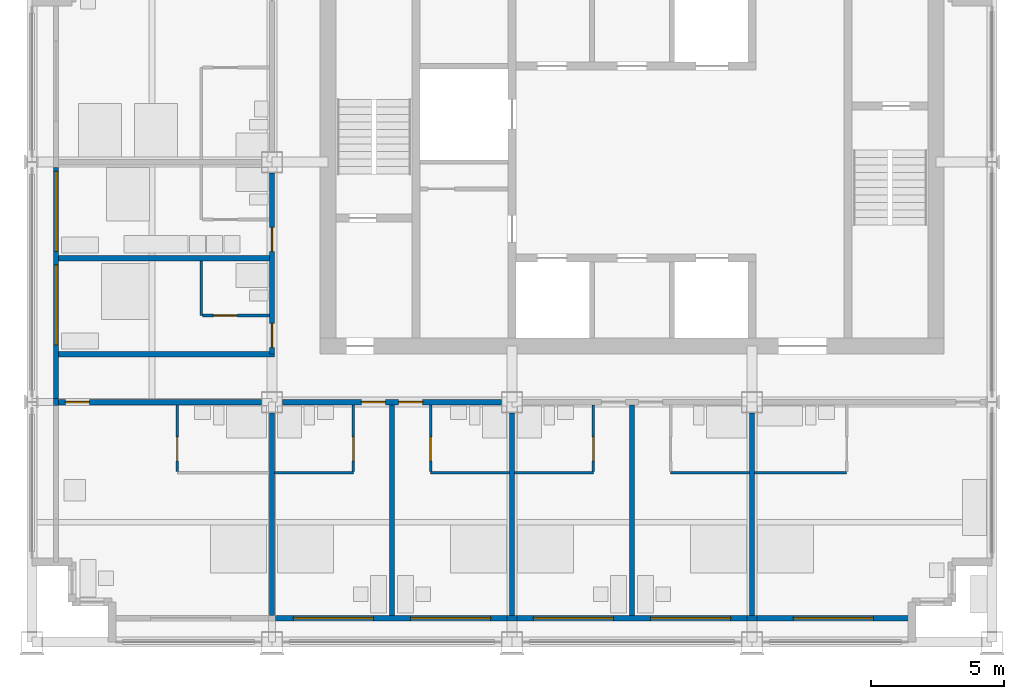
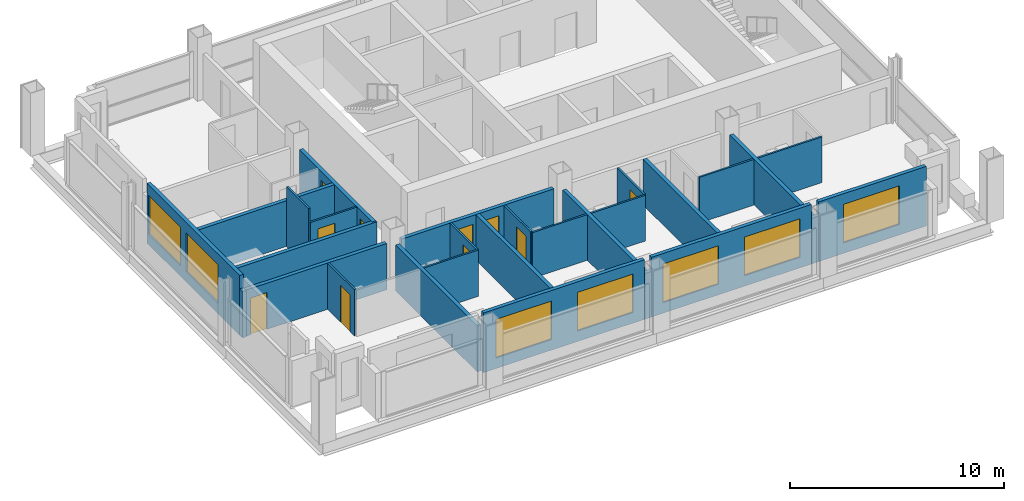
# One storey, part 6 of 12: 28 walls, 10 doors, 7 windows, 17 openings.
"""IFC4 building model written with IfcOpenShell, lengths in metres."""

from ifc_helpers import new_model, si_unit, direction, frame, frame_2d, origin, place, context, subcontext, project, spatial, rectangle, extrude, material, layer, layer_set, type_object, element, fill, save


model = new_model("IFC4")

# Units and contexts
model_context = context("Model", 3, precision=1e-05, world=origin(), true_north=direction((0.0, 1.0)))
body_context = subcontext(model_context, "Body", "Model", "MODEL_VIEW")
ifc_project = project(units=[si_unit("LENGTHUNIT", "METRE"), si_unit("AREAUNIT", "SQUARE_METRE"), si_unit("VOLUMEUNIT", "CUBIC_METRE"), si_unit("PLANEANGLEUNIT", "RADIAN"), si_unit("MASSUNIT", "GRAM", prefix="KILO")], contexts=[model_context])

# Site, building, storey
site_placement = place(None, origin())
site = spatial("IfcSite", under=ifc_project, at=site_placement, CompositionType="ELEMENT")
building_placement = place(site_placement, origin())
building = spatial("IfcBuilding", under=site, at=building_placement, Name="Loomwork Tower", CompositionType="ELEMENT")
storey_placement = place(building_placement, frame((0.0, 0.0, 259.0)))
storey = spatial("IfcBuildingStorey", under=building, at=storey_placement, Name="L71", CompositionType="ELEMENT", Elevation=259.0)

# Wall, opening, door
ifc_material_1 = material(Name="Gypsum board on steel studs, one-hour", Category="steel")
ifc_layer_1 = layer(ifc_material_1, 0.199951171875)
ifc_layer_set_1 = layer_set([ifc_layer_1], Name="Corridor wall 200")
wall_type_1 = type_object("IfcWallType", Name="Corridor wall 200", PredefinedType="PARTITIONING", material=ifc_layer_set_1)
wall_1_placement = place(storey_placement, frame((1.0, 9.0, 0.0), z_axis=(0.0, 0.0, 1.0), x_axis=(1.0, 0.0, 0.0)))
wall_1 = element("IfcWall", 1, at=wall_1_placement, inside=storey, type_object=wall_type_1, Name="South corridor wall 1", PredefinedType="PARTITIONING", context=body_context, shape_type="SweptSolid", body=[
    extrude(rectangle(XDim=7.60009765625, YDim=0.199951171875, at=frame_2d((3.800048828125, 0.0))), origin(), (0.0, 0.0, 1.0), 2.637939453125),
])
opening_1_placement = place(wall_1_placement, frame((0.25, 0.0, 0.0)))
opening_1 = element("IfcOpeningElement", 2, at=opening_1_placement, cuts=wall_1, Name="Opening D1", PredefinedType="OPENING", context=body_context, shape_type="SweptSolid", body=[
    extrude(rectangle(XDim=0.89990234375, YDim=2.10009765625, at=frame_2d((0.449951171875, 1.050048828125))), frame((0.0, 0.10986328125, 0.0), z_axis=(0.0, -1.0, 0.0), x_axis=(1.0, 0.0, 0.0)), (0.0, 0.0, 1.0), 0.219970703125),
])
ifc_material_2 = material(Name="Hollow metal door and frame")
door_type_1 = type_object("IfcDoorType", Name="Guest room entry door 900", OperationType="SINGLE_SWING_LEFT", PredefinedType="DOOR", material=ifc_material_2)
door_1_placement = place(opening_1_placement, frame((0.89990234375, 0.0, 0.0), z_axis=(0.0, 0.0, 1.0), x_axis=(-1.0, 0.0, 0.0)))
door_1 = element("IfcDoor", 3, at=door_1_placement, inside=storey, type_object=door_type_1, Name="Guest room entry door L71 1", OperationType="SINGLE_SWING_RIGHT", OverallHeight=2.10009765625, OverallWidth=0.89990234375, PredefinedType="DOOR", context=body_context, shape_type="SweptSolid", body=[
    extrude(rectangle(XDim=0.89990234375, YDim=2.10009765625, at=frame_2d((0.449951171875, 1.050048828125))), frame((0.0, 0.02490234375, 0.0), z_axis=(0.0, -1.0, 0.0), x_axis=(1.0, 0.0, 0.0)), (0.0, 0.0, 1.0), 0.050048828125),
])
fill(opening_1, door_1)

# Wall, openings, doors
wall_2_placement = place(storey_placement, frame((9.39990234375, 9.0, 0.0), z_axis=(0.0, 0.0, 1.0), x_axis=(1.0, 0.0, 0.0)))
wall_2 = element("IfcWall", 4, at=wall_2_placement, inside=storey, type_object=wall_type_1, Name="South corridor wall 2", PredefinedType="PARTITIONING", context=body_context, shape_type="SweptSolid", body=[
    extrude(rectangle(XDim=8.2001953125, YDim=0.199951171875, at=frame_2d((4.10009765625, 0.0))), origin(), (0.0, 0.0, 1.0), 2.60498046875),
])
opening_2_placement = place(wall_2_placement, frame((2.949951171875, 0.0, 0.0)))
opening_2 = element("IfcOpeningElement", 5, at=opening_2_placement, cuts=wall_2, Name="Opening D1", PredefinedType="OPENING", context=body_context, shape_type="SweptSolid", body=[
    extrude(rectangle(XDim=0.89990234375, YDim=2.10009765625, at=frame_2d((0.449951171875, 1.050048828125))), frame((0.0, 0.10986328125, 0.0), z_axis=(0.0, -1.0, 0.0), x_axis=(1.0, 0.0, 0.0)), (0.0, 0.0, 1.0), 0.219970703125),
])
opening_3_placement = place(wall_2_placement, frame((4.35009765625, 0.0, 0.0)))
opening_3 = element("IfcOpeningElement", 6, at=opening_3_placement, cuts=wall_2, Name="Opening D1", PredefinedType="OPENING", context=body_context, shape_type="SweptSolid", body=[
    extrude(rectangle(XDim=0.89990234375, YDim=2.10009765625, at=frame_2d((0.449951171875, 1.050048828125))), frame((0.0, 0.10986328125, 0.0), z_axis=(0.0, -1.0, 0.0), x_axis=(1.0, 0.0, 0.0)), (0.0, 0.0, 1.0), 0.219970703125),
])
door_2_placement = place(opening_2_placement, frame((0.89990234375, 0.0, 0.0), z_axis=(0.0, 0.0, 1.0), x_axis=(-1.0, 0.0, 0.0)))
door_2 = element("IfcDoor", 7, at=door_2_placement, inside=storey, type_object=door_type_1, Name="Guest room entry door L71 2", OperationType="SINGLE_SWING_LEFT", OverallHeight=2.10009765625, OverallWidth=0.89990234375, PredefinedType="DOOR", context=body_context, shape_type="SweptSolid", body=[
    extrude(rectangle(XDim=0.89990234375, YDim=2.10009765625, at=frame_2d((0.449951171875, 1.050048828125))), frame((0.0, 0.02490234375, 0.0), z_axis=(0.0, -1.0, 0.0), x_axis=(1.0, 0.0, 0.0)), (0.0, 0.0, 1.0), 0.050048828125),
])
fill(opening_2, door_2)
door_3_placement = place(opening_3_placement, frame((0.89990234375, 0.0, 0.0), z_axis=(0.0, 0.0, 1.0), x_axis=(-1.0, 0.0, 0.0)))
door_3 = element("IfcDoor", 8, at=door_3_placement, inside=storey, type_object=door_type_1, Name="Guest room entry door L71 3", OperationType="SINGLE_SWING_RIGHT", OverallHeight=2.10009765625, OverallWidth=0.89990234375, PredefinedType="DOOR", context=body_context, shape_type="SweptSolid", body=[
    extrude(rectangle(XDim=0.89990234375, YDim=2.10009765625, at=frame_2d((0.449951171875, 1.050048828125))), frame((0.0, 0.02490234375, 0.0), z_axis=(0.0, -1.0, 0.0), x_axis=(1.0, 0.0, 0.0)), (0.0, 0.0, 1.0), 0.050048828125),
])
fill(opening_3, door_3)

wall_3_placement = place(storey_placement, frame((9.0, 10.800048828125, 0.0), z_axis=(0.0, 0.0, 1.0), x_axis=(0.0, 1.0, 0.0)))
wall_3 = element("IfcWall", 9, at=wall_3_placement, inside=storey, type_object=wall_type_1, Name="West corridor wall 1", PredefinedType="PARTITIONING", context=body_context, shape_type="SweptSolid", body=[
    extrude(rectangle(XDim=6.800048828125, YDim=0.199951171875, at=frame_2d((3.39990234375, 0.0))), origin(), (0.0, 0.0, 1.0), 2.60498046875),
])
opening_4_placement = place(wall_3_placement, frame((0.25, 0.0, 0.0)))
opening_4 = element("IfcOpeningElement", 10, at=opening_4_placement, cuts=wall_3, Name="Opening D1", PredefinedType="OPENING", context=body_context, shape_type="SweptSolid", body=[
    extrude(rectangle(XDim=0.89990234375, YDim=2.10009765625, at=frame_2d((0.449951171875, 1.050048828125))), frame((0.0, 0.10986328125, 0.0), z_axis=(0.0, -1.0, 0.0), x_axis=(1.0, 0.0, 0.0)), (0.0, 0.0, 1.0), 0.219970703125),
])
opening_5_placement = place(wall_3_placement, frame((3.85009765625, 0.0, 0.0)))
opening_5 = element("IfcOpeningElement", 11, at=opening_5_placement, cuts=wall_3, Name="Opening D1", PredefinedType="OPENING", context=body_context, shape_type="SweptSolid", body=[
    extrude(rectangle(XDim=0.89990234375, YDim=2.10009765625, at=frame_2d((0.449951171875, 1.050048828125))), frame((0.0, 0.10986328125, 0.0), z_axis=(0.0, -1.0, 0.0), x_axis=(1.0, 0.0, 0.0)), (0.0, 0.0, 1.0), 0.219970703125),
])
door_4_placement = place(opening_4_placement, origin())
door_4 = element("IfcDoor", 12, at=door_4_placement, inside=storey, type_object=door_type_1, Name="Guest room entry door L71 7", OperationType="SINGLE_SWING_LEFT", OverallHeight=2.10009765625, OverallWidth=0.89990234375, PredefinedType="DOOR", context=body_context, shape_type="SweptSolid", body=[
    extrude(rectangle(XDim=0.89990234375, YDim=2.10009765625, at=frame_2d((0.449951171875, 1.050048828125))), frame((0.0, 0.02490234375, 0.0), z_axis=(0.0, -1.0, 0.0), x_axis=(1.0, 0.0, 0.0)), (0.0, 0.0, 1.0), 0.050048828125),
])
fill(opening_4, door_4)
door_5_placement = place(opening_5_placement, origin())
door_5 = element("IfcDoor", 13, at=door_5_placement, inside=storey, type_object=door_type_1, Name="Guest room entry door L71 8", OperationType="SINGLE_SWING_LEFT", OverallHeight=2.10009765625, OverallWidth=0.89990234375, PredefinedType="DOOR", context=body_context, shape_type="SweptSolid", body=[
    extrude(rectangle(XDim=0.89990234375, YDim=2.10009765625, at=frame_2d((0.449951171875, 1.050048828125))), frame((0.0, 0.02490234375, 0.0), z_axis=(0.0, -1.0, 0.0), x_axis=(1.0, 0.0, 0.0)), (0.0, 0.0, 1.0), 0.050048828125),
])
fill(opening_5, door_5)

# Wall
wall_4_placement = place(storey_placement, frame((1.0, 10.800048828125, 0.0), z_axis=(0.0, 0.0, 1.0), x_axis=(1.0, 0.0, 0.0)))
element("IfcWall", 14, at=wall_4_placement, inside=storey, type_object=wall_type_1, Name="West band end wall S", PredefinedType="PARTITIONING", context=body_context, shape_type="SweptSolid", body=[
    extrude(rectangle(XDim=8.10009765625, YDim=0.199951171875, at=frame_2d((4.050048828125, 0.0))), origin(), (0.0, 0.0, 1.0), 2.60400390625),
])

# Wall, opening, door
ifc_material_3 = material(Name="Cement board on steel studs", Category="steel")
ifc_layer_2 = layer(ifc_material_3, 0.10009765625)
ifc_layer_set_2 = layer_set([ifc_layer_2], Name="En-suite partition 100")
wall_type_2 = type_object("IfcWallType", Name="En-suite partition 100", PredefinedType="PARTITIONING", material=ifc_layer_set_2)
wall_5_placement = place(storey_placement, frame((5.449951171875, 8.89990234375, 0.0), z_axis=(0.0, 0.0, 1.0), x_axis=(0.0, -1.0, 0.0)))
wall_5 = element("IfcWall", 15, at=wall_5_placement, inside=storey, type_object=wall_type_2, Name="En-suite side wall L71 room 1", PredefinedType="PARTITIONING", context=body_context, shape_type="SweptSolid", body=[
    extrude(rectangle(XDim=2.5, YDim=0.10009765625, at=frame_2d((1.25, 0.0))), origin(), (0.0, 0.0, 1.0), 2.637939453125),
])
opening_6_placement = place(wall_5_placement, frame((1.199951171875, 0.0, 0.0)))
opening_6 = element("IfcOpeningElement", 16, at=opening_6_placement, cuts=wall_5, Name="Opening D3", PredefinedType="OPENING", context=body_context, shape_type="SweptSolid", body=[
    extrude(rectangle(XDim=0.89990234375, YDim=2.10009765625, at=frame_2d((0.449951171875, 1.050048828125))), frame((0.0, 0.06005859375, 0.0), z_axis=(0.0, -1.0, 0.0), x_axis=(1.0, 0.0, 0.0)), (0.0, 0.0, 1.0), 0.1201171875),
])
ifc_material_4 = material(Name="Hollow metal door and frame")
door_type_2 = type_object("IfcDoorType", Name="Accessible en-suite door 900", OperationType="SLIDING_TO_LEFT", PredefinedType="DOOR", material=ifc_material_4)
door_6_placement = place(opening_6_placement, origin())
door_6 = element("IfcDoor", 17, at=door_6_placement, inside=storey, type_object=door_type_2, Name="Accessible en-suite door room 1", OperationType="SLIDING_TO_LEFT", OverallHeight=2.10009765625, OverallWidth=0.89990234375, PredefinedType="DOOR", context=body_context, shape_type="SweptSolid", body=[
    extrude(rectangle(XDim=0.89990234375, YDim=2.10009765625, at=frame_2d((0.449951171875, 1.050048828125))), frame((0.0, 0.02490234375, 0.0), z_axis=(0.0, -1.0, 0.0), x_axis=(1.0, 0.0, 0.0)), (0.0, 0.0, 1.0), 0.050048828125),
])
fill(opening_6, door_6)

# Wall
wall_6_placement = place(storey_placement, frame((9.10009765625, 6.35009765625, 0.0), z_axis=(0.0, 0.0, 1.0), x_axis=(1.0, 0.0, 0.0)))
element("IfcWall", 18, at=wall_6_placement, inside=storey, type_object=wall_type_2, Name="En-suite wall L71 room 2", PredefinedType="PARTITIONING", context=body_context, shape_type="SweptSolid", body=[
    extrude(rectangle(XDim=2.949951171875, YDim=0.10009765625, at=frame_2d((1.47509765625, 0.0))), origin(), (0.0, 0.0, 1.0), 2.637939453125),
])

# Wall, opening, door
wall_7_placement = place(storey_placement, frame((12.050048828125, 8.89990234375, 0.0), z_axis=(0.0, 0.0, 1.0), x_axis=(0.0, -1.0, 0.0)))
wall_7 = element("IfcWall", 19, at=wall_7_placement, inside=storey, type_object=wall_type_2, Name="En-suite side wall L71 room 2", PredefinedType="PARTITIONING", context=body_context, shape_type="SweptSolid", body=[
    extrude(rectangle(XDim=2.5, YDim=0.10009765625, at=frame_2d((1.25, 0.0))), origin(), (0.0, 0.0, 1.0), 2.60400390625),
])
opening_7_placement = place(wall_7_placement, frame((1.199951171875, 0.0, 0.0)))
opening_7 = element("IfcOpeningElement", 20, at=opening_7_placement, cuts=wall_7, Name="Opening D2", PredefinedType="OPENING", context=body_context, shape_type="SweptSolid", body=[
    extrude(rectangle(XDim=0.89990234375, YDim=2.10009765625, at=frame_2d((0.449951171875, 1.050048828125))), frame((0.0, 0.06005859375, 0.0), z_axis=(0.0, -1.0, 0.0), x_axis=(1.0, 0.0, 0.0)), (0.0, 0.0, 1.0), 0.1201171875),
])
ifc_material_5 = material(Name="Hollow metal door and frame")
door_type_3 = type_object("IfcDoorType", Name="En-suite door 900", OperationType="SINGLE_SWING_LEFT", PredefinedType="DOOR", material=ifc_material_5)
door_7_placement = place(opening_7_placement, frame((0.89990234375, 0.0, 0.0), z_axis=(0.0, 0.0, 1.0), x_axis=(-1.0, 0.0, 0.0)))
door_7 = element("IfcDoor", 21, at=door_7_placement, inside=storey, type_object=door_type_3, Name="En-suite door room 2", OperationType="SINGLE_SWING_LEFT", OverallHeight=2.10009765625, OverallWidth=0.89990234375, PredefinedType="DOOR", context=body_context, shape_type="SweptSolid", body=[
    extrude(rectangle(XDim=0.89990234375, YDim=2.10009765625, at=frame_2d((0.449951171875, 1.050048828125))), frame((0.0, 0.02490234375, 0.0), z_axis=(0.0, -1.0, 0.0), x_axis=(1.0, 0.0, 0.0)), (0.0, 0.0, 1.0), 0.050048828125),
])
fill(opening_7, door_7)

# Wall
wall_8_placement = place(storey_placement, frame((14.949951171875, 6.35009765625, 0.0), z_axis=(0.0, 0.0, 1.0), x_axis=(1.0, 0.0, 0.0)))
element("IfcWall", 22, at=wall_8_placement, inside=storey, type_object=wall_type_2, Name="En-suite wall L71 room 3", PredefinedType="PARTITIONING", context=body_context, shape_type="SweptSolid", body=[
    extrude(rectangle(XDim=2.949951171875, YDim=0.10009765625, at=frame_2d((1.47509765625, 0.0))), origin(), (0.0, 0.0, 1.0), 2.60400390625),
])

# Wall, opening, door
wall_9_placement = place(storey_placement, frame((14.949951171875, 8.89990234375, 0.0), z_axis=(0.0, 0.0, 1.0), x_axis=(0.0, -1.0, 0.0)))
wall_9 = element("IfcWall", 23, at=wall_9_placement, inside=storey, type_object=wall_type_2, Name="En-suite side wall L71 room 3", PredefinedType="PARTITIONING", context=body_context, shape_type="SweptSolid", body=[
    extrude(rectangle(XDim=2.5, YDim=0.10009765625, at=frame_2d((1.25, 0.0))), origin(), (0.0, 0.0, 1.0), 2.60400390625),
])
opening_8_placement = place(wall_9_placement, frame((1.199951171875, 0.0, 0.0)))
opening_8 = element("IfcOpeningElement", 24, at=opening_8_placement, cuts=wall_9, Name="Opening D2", PredefinedType="OPENING", context=body_context, shape_type="SweptSolid", body=[
    extrude(rectangle(XDim=0.89990234375, YDim=2.10009765625, at=frame_2d((0.449951171875, 1.050048828125))), frame((0.0, 0.06005859375, 0.0), z_axis=(0.0, -1.0, 0.0), x_axis=(1.0, 0.0, 0.0)), (0.0, 0.0, 1.0), 0.1201171875),
])
door_8_placement = place(opening_8_placement, origin())
door_8 = element("IfcDoor", 25, at=door_8_placement, inside=storey, type_object=door_type_3, Name="En-suite door room 3", OperationType="SINGLE_SWING_RIGHT", OverallHeight=2.10009765625, OverallWidth=0.89990234375, PredefinedType="DOOR", context=body_context, shape_type="SweptSolid", body=[
    extrude(rectangle(XDim=0.89990234375, YDim=2.10009765625, at=frame_2d((0.449951171875, 1.050048828125))), frame((0.0, 0.02490234375, 0.0), z_axis=(0.0, -1.0, 0.0), x_axis=(1.0, 0.0, 0.0)), (0.0, 0.0, 1.0), 0.050048828125),
])
fill(opening_8, door_8)

# Wall
wall_10_placement = place(storey_placement, frame((18.10009765625, 6.35009765625, 0.0), z_axis=(0.0, 0.0, 1.0), x_axis=(1.0, 0.0, 0.0)))
element("IfcWall", 26, at=wall_10_placement, inside=storey, type_object=wall_type_2, Name="En-suite wall L71 room 4", PredefinedType="PARTITIONING", context=body_context, shape_type="SweptSolid", body=[
    extrude(rectangle(XDim=2.949951171875, YDim=0.10009765625, at=frame_2d((1.47509765625, 0.0))), origin(), (0.0, 0.0, 1.0), 2.60400390625),
])

# Wall, opening, door
wall_11_placement = place(storey_placement, frame((21.050048828125, 8.89990234375, 0.0), z_axis=(0.0, 0.0, 1.0), x_axis=(0.0, -1.0, 0.0)))
wall_11 = element("IfcWall", 27, at=wall_11_placement, inside=storey, type_object=wall_type_2, Name="En-suite side wall L71 room 4", PredefinedType="PARTITIONING", context=body_context, shape_type="SweptSolid", body=[
    extrude(rectangle(XDim=2.5, YDim=0.10009765625, at=frame_2d((1.25, 0.0))), origin(), (0.0, 0.0, 1.0), 2.60400390625),
])
opening_9_placement = place(wall_11_placement, frame((1.199951171875, 0.0, 0.0)))
opening_9 = element("IfcOpeningElement", 28, at=opening_9_placement, cuts=wall_11, Name="Opening D2", PredefinedType="OPENING", context=body_context, shape_type="SweptSolid", body=[
    extrude(rectangle(XDim=0.89990234375, YDim=2.10009765625, at=frame_2d((0.449951171875, 1.050048828125))), frame((0.0, 0.06005859375, 0.0), z_axis=(0.0, -1.0, 0.0), x_axis=(1.0, 0.0, 0.0)), (0.0, 0.0, 1.0), 0.1201171875),
])
door_9_placement = place(opening_9_placement, frame((0.89990234375, 0.0, 0.0), z_axis=(0.0, 0.0, 1.0), x_axis=(-1.0, 0.0, 0.0)))
door_9 = element("IfcDoor", 29, at=door_9_placement, inside=storey, type_object=door_type_3, Name="En-suite door room 4", OperationType="SINGLE_SWING_LEFT", OverallHeight=2.10009765625, OverallWidth=0.89990234375, PredefinedType="DOOR", context=body_context, shape_type="SweptSolid", body=[
    extrude(rectangle(XDim=0.89990234375, YDim=2.10009765625, at=frame_2d((0.449951171875, 1.050048828125))), frame((0.0, 0.02490234375, 0.0), z_axis=(0.0, -1.0, 0.0), x_axis=(1.0, 0.0, 0.0)), (0.0, 0.0, 1.0), 0.050048828125),
])
fill(opening_9, door_9)

# Walls
wall_12_placement = place(storey_placement, frame((23.949951171875, 6.35009765625, 0.0), z_axis=(0.0, 0.0, 1.0), x_axis=(1.0, 0.0, 0.0)))
element("IfcWall", 30, at=wall_12_placement, inside=storey, type_object=wall_type_2, Name="En-suite wall L71 room 5", PredefinedType="PARTITIONING", context=body_context, shape_type="SweptSolid", body=[
    extrude(rectangle(XDim=2.949951171875, YDim=0.10009765625, at=frame_2d((1.47509765625, 0.0))), origin(), (0.0, 0.0, 1.0), 2.60400390625),
])
wall_13_placement = place(storey_placement, frame((27.10009765625, 6.35009765625, 0.0), z_axis=(0.0, 0.0, 1.0), x_axis=(1.0, 0.0, 0.0)))
element("IfcWall", 31, at=wall_13_placement, inside=storey, type_object=wall_type_2, Name="En-suite wall L71 room 6", PredefinedType="PARTITIONING", context=body_context, shape_type="SweptSolid", body=[
    extrude(rectangle(XDim=3.449951171875, YDim=0.10009765625, at=frame_2d((1.72509765625, 0.0))), origin(), (0.0, 0.0, 1.0), 2.60400390625),
])
wall_14_placement = place(storey_placement, frame((6.35009765625, 12.25, 0.0), z_axis=(0.0, 0.0, 1.0), x_axis=(0.0, 1.0, 0.0)))
element("IfcWall", 32, at=wall_14_placement, inside=storey, type_object=wall_type_2, Name="En-suite wall L71 room 7", PredefinedType="PARTITIONING", context=body_context, shape_type="SweptSolid", body=[
    extrude(rectangle(XDim=2.050048828125, YDim=0.10009765625, at=frame_2d((1.02490234375, 0.0))), origin(), (0.0, 0.0, 1.0), 3.39990234375),
])

# Wall, opening, door
wall_15_placement = place(storey_placement, frame((8.89990234375, 12.25, 0.0), z_axis=(0.0, 0.0, 1.0), x_axis=(-1.0, 0.0, 0.0)))
wall_15 = element("IfcWall", 33, at=wall_15_placement, inside=storey, type_object=wall_type_2, Name="En-suite side wall L71 room 7", PredefinedType="PARTITIONING", context=body_context, shape_type="SweptSolid", body=[
    extrude(rectangle(XDim=2.5, YDim=0.10009765625, at=frame_2d((1.25, 0.0))), origin(), (0.0, 0.0, 1.0), 2.60400390625),
])
opening_10_placement = place(wall_15_placement, frame((1.199951171875, 0.0, 0.0)))
opening_10 = element("IfcOpeningElement", 34, at=opening_10_placement, cuts=wall_15, Name="Opening D2", PredefinedType="OPENING", context=body_context, shape_type="SweptSolid", body=[
    extrude(rectangle(XDim=0.89990234375, YDim=2.10009765625, at=frame_2d((0.449951171875, 1.050048828125))), frame((0.0, 0.06005859375, 0.0), z_axis=(0.0, -1.0, 0.0), x_axis=(1.0, 0.0, 0.0)), (0.0, 0.0, 1.0), 0.1201171875),
])
door_10_placement = place(opening_10_placement, frame((0.89990234375, 0.0, 0.0), z_axis=(0.0, 0.0, 1.0), x_axis=(-1.0, 0.0, 0.0)))
door_10 = element("IfcDoor", 35, at=door_10_placement, inside=storey, type_object=door_type_3, Name="En-suite door room 7", OperationType="SINGLE_SWING_LEFT", OverallHeight=2.10009765625, OverallWidth=0.89990234375, PredefinedType="DOOR", context=body_context, shape_type="SweptSolid", body=[
    extrude(rectangle(XDim=0.89990234375, YDim=2.10009765625, at=frame_2d((0.449951171875, 1.050048828125))), frame((0.0, 0.02490234375, 0.0), z_axis=(0.0, -1.0, 0.0), x_axis=(1.0, 0.0, 0.0)), (0.0, 0.0, 1.0), 0.050048828125),
])
fill(opening_10, door_10)

# Walls
ifc_material_6 = material(Name="Gypsum board on steel studs, acoustic", Category="steel")
ifc_layer_3 = layer(ifc_material_6, 0.199951171875)
ifc_layer_set_3 = layer_set([ifc_layer_3], Name="Guest room party wall 200")
wall_type_3 = type_object("IfcWallType", Name="Guest room party wall 200", PredefinedType="PARTITIONING", material=ifc_layer_set_3)
wall_16_placement = place(storey_placement, frame((9.0, 8.60009765625, 0.0), z_axis=(0.0, 0.0, 1.0), x_axis=(0.0, -1.0, 0.0)))
element("IfcWall", 36, at=wall_16_placement, inside=storey, type_object=wall_type_3, Name="Guest room party wall S 9", PredefinedType="PARTITIONING", context=body_context, shape_type="SweptSolid", body=[
    extrude(rectangle(XDim=7.60009765625, YDim=0.199951171875, at=frame_2d((3.800048828125, 0.0))), origin(), (0.0, 0.0, 1.0), 2.637939453125),
])
wall_17_placement = place(storey_placement, frame((13.5, 8.89990234375, 0.0), z_axis=(0.0, 0.0, 1.0), x_axis=(0.0, -1.0, 0.0)))
element("IfcWall", 37, at=wall_17_placement, inside=storey, type_object=wall_type_3, Name="Guest room party wall S 13.5", PredefinedType="PARTITIONING", context=body_context, shape_type="SweptSolid", body=[
    extrude(rectangle(XDim=7.89990234375, YDim=0.199951171875, at=frame_2d((3.949951171875, 0.0))), origin(), (0.0, 0.0, 1.0), 2.60400390625),
])
wall_18_placement = place(storey_placement, frame((18.0, 8.60009765625, 0.0), z_axis=(0.0, 0.0, 1.0), x_axis=(0.0, -1.0, 0.0)))
element("IfcWall", 38, at=wall_18_placement, inside=storey, type_object=wall_type_3, Name="Guest room party wall S 18", PredefinedType="PARTITIONING", context=body_context, shape_type="SweptSolid", body=[
    extrude(rectangle(XDim=7.60009765625, YDim=0.199951171875, at=frame_2d((3.800048828125, 0.0))), origin(), (0.0, 0.0, 1.0), 2.60498046875),
])
wall_19_placement = place(storey_placement, frame((22.5, 8.89990234375, 0.0), z_axis=(0.0, 0.0, 1.0), x_axis=(0.0, -1.0, 0.0)))
element("IfcWall", 39, at=wall_19_placement, inside=storey, type_object=wall_type_3, Name="Guest room party wall S 22.5", PredefinedType="PARTITIONING", context=body_context, shape_type="SweptSolid", body=[
    extrude(rectangle(XDim=7.89990234375, YDim=0.199951171875, at=frame_2d((3.949951171875, 0.0))), origin(), (0.0, 0.0, 1.0), 2.60400390625),
])
wall_20_placement = place(storey_placement, frame((27.0, 8.60009765625, 0.0), z_axis=(0.0, 0.0, 1.0), x_axis=(0.0, -1.0, 0.0)))
element("IfcWall", 40, at=wall_20_placement, inside=storey, type_object=wall_type_3, Name="Guest room party wall S 27", PredefinedType="PARTITIONING", context=body_context, shape_type="SweptSolid", body=[
    extrude(rectangle(XDim=7.60009765625, YDim=0.199951171875, at=frame_2d((3.800048828125, 0.0))), origin(), (0.0, 0.0, 1.0), 2.60498046875),
])
wall_21_placement = place(storey_placement, frame((8.89990234375, 14.39990234375, 0.0), z_axis=(0.0, 0.0, 1.0), x_axis=(-1.0, 0.0, 0.0)))
element("IfcWall", 41, at=wall_21_placement, inside=storey, type_object=wall_type_3, Name="Guest room party wall W 14.4", PredefinedType="PARTITIONING", context=body_context, shape_type="SweptSolid", body=[
    extrude(rectangle(XDim=7.89990234375, YDim=0.199951171875, at=frame_2d((3.949951171875, 0.0))), origin(), (0.0, 0.0, 1.0), 2.60400390625),
])

# Wall, openings, windows
ifc_material_7 = material(Name="Insulated steel stud wall with gypsum lining", Category="steel")
ifc_layer_4 = layer(ifc_material_7, 0.199951171875)
ifc_layer_set_4 = layer_set([ifc_layer_4], Name="Inner skin wall 200")
wall_type_4 = type_object("IfcWallType", Name="Inner skin wall 200", PredefinedType="SOLIDWALL", material=ifc_layer_set_4)
wall_22_placement = place(storey_placement, frame((9.13525390625, 0.89990234375, 0.0), z_axis=(0.0, 0.0, 1.0), x_axis=(1.0, 0.0, 0.0)))
wall_22 = element("IfcWall", 42, at=wall_22_placement, inside=storey, type_object=wall_type_4, Name="Inner skin wall S bay 3", PredefinedType="SOLIDWALL", context=body_context, shape_type="SweptSolid", body=[
    extrude(rectangle(XDim=8.6708984375, YDim=0.199951171875, at=frame_2d((4.33544921875, 0.0))), origin(), (0.0, 0.0, 1.0), 3.39990234375),
])
opening_11_placement = place(wall_22_placement, frame((0.664794921875, 0.0, 0.60009765625)))
opening_11 = element("IfcOpeningElement", 43, at=opening_11_placement, cuts=wall_22, Name="Opening CH1", PredefinedType="OPENING", context=body_context, shape_type="SweptSolid", body=[
    extrude(rectangle(XDim=3.0, YDim=2.199951171875, at=frame_2d((1.5, 1.10009765625))), frame((0.0, 0.10986328125, 0.0), z_axis=(0.0, -1.0, 0.0), x_axis=(1.0, 0.0, 0.0)), (0.0, 0.0, 1.0), 0.219970703125),
])
opening_12_placement = place(wall_22_placement, frame((5.064697265625, 0.0, 0.60009765625)))
opening_12 = element("IfcOpeningElement", 44, at=opening_12_placement, cuts=wall_22, Name="Opening CH1", PredefinedType="OPENING", context=body_context, shape_type="SweptSolid", body=[
    extrude(rectangle(XDim=3.0, YDim=2.199951171875, at=frame_2d((1.5, 1.10009765625))), frame((0.0, 0.10986328125, 0.0), z_axis=(0.0, -1.0, 0.0), x_axis=(1.0, 0.0, 0.0)), (0.0, 0.0, 1.0), 0.219970703125),
])
ifc_material_8 = material(Name="Aluminium frame with clear insulated glass", Category="aluminium")
window_type = type_object("IfcWindowType", Name="Chicago window 3000", PartitioningType="TRIPLE_PANEL_VERTICAL", PredefinedType="WINDOW", material=ifc_material_8)
window_1_placement = place(opening_11_placement, origin())
window_1 = element("IfcWindow", 45, at=window_1_placement, inside=storey, type_object=window_type, Name="Chicago window L71 bay 2", OverallHeight=2.199951171875, OverallWidth=3.0, PartitioningType="TRIPLE_PANEL_VERTICAL", PredefinedType="WINDOW", context=body_context, shape_type="SweptSolid", body=[
    extrude(rectangle(XDim=3.0, YDim=2.199951171875, at=frame_2d((1.5, 1.10009765625))), frame((0.0, 0.030029296875, 0.0), z_axis=(0.0, -1.0, 0.0), x_axis=(1.0, 0.0, 0.0)), (0.0, 0.0, 1.0), 0.06005859375),
])
fill(opening_11, window_1)
window_2_placement = place(opening_12_placement, origin())
window_2 = element("IfcWindow", 46, at=window_2_placement, inside=storey, type_object=window_type, Name="Chicago window L71 bay 2", OverallHeight=2.199951171875, OverallWidth=3.0, PartitioningType="TRIPLE_PANEL_VERTICAL", PredefinedType="WINDOW", context=body_context, shape_type="SweptSolid", body=[
    extrude(rectangle(XDim=3.0, YDim=2.199951171875, at=frame_2d((1.5, 1.10009765625))), frame((0.0, 0.030029296875, 0.0), z_axis=(0.0, -1.0, 0.0), x_axis=(1.0, 0.0, 0.0)), (0.0, 0.0, 1.0), 0.06005859375),
])
fill(opening_12, window_2)

# Wall
wall_23_placement = place(storey_placement, frame((17.80615234375, 0.89990234375, 0.0), z_axis=(0.0, 0.0, 1.0), x_axis=(1.0, 0.0, 0.0)))
element("IfcWall", 47, at=wall_23_placement, inside=storey, type_object=wall_type_4, Name="Inner skin wall S bay 4", PredefinedType="SOLIDWALL", context=body_context, shape_type="SweptSolid", body=[
    extrude(rectangle(XDim=0.3876953125, YDim=0.199951171875, at=frame_2d((0.19384765625, 0.0))), origin(), (0.0, 0.0, 1.0), 2.60400390625),
])

# Wall, openings, windows
wall_24_placement = place(storey_placement, frame((18.19384765625, 0.89990234375, 0.0), z_axis=(0.0, 0.0, 1.0), x_axis=(1.0, 0.0, 0.0)))
wall_24 = element("IfcWall", 48, at=wall_24_placement, inside=storey, type_object=wall_type_4, Name="Inner skin wall S bay 5", PredefinedType="SOLIDWALL", context=body_context, shape_type="SweptSolid", body=[
    extrude(rectangle(XDim=8.6123046875, YDim=0.199951171875, at=frame_2d((4.30615234375, 0.0))), origin(), (0.0, 0.0, 1.0), 3.39990234375),
])
opening_13_placement = place(wall_24_placement, frame((0.606201171875, 0.0, 0.60009765625)))
opening_13 = element("IfcOpeningElement", 49, at=opening_13_placement, cuts=wall_24, Name="Opening CH1", PredefinedType="OPENING", context=body_context, shape_type="SweptSolid", body=[
    extrude(rectangle(XDim=3.0, YDim=2.199951171875, at=frame_2d((1.5, 1.10009765625))), frame((0.0, 0.10986328125, 0.0), z_axis=(0.0, -1.0, 0.0), x_axis=(1.0, 0.0, 0.0)), (0.0, 0.0, 1.0), 0.219970703125),
])
opening_14_placement = place(wall_24_placement, frame((5.006103515625, 0.0, 0.60009765625)))
opening_14 = element("IfcOpeningElement", 50, at=opening_14_placement, cuts=wall_24, Name="Opening CH1", PredefinedType="OPENING", context=body_context, shape_type="SweptSolid", body=[
    extrude(rectangle(XDim=3.0, YDim=2.199951171875, at=frame_2d((1.5, 1.10009765625))), frame((0.0, 0.10986328125, 0.0), z_axis=(0.0, -1.0, 0.0), x_axis=(1.0, 0.0, 0.0)), (0.0, 0.0, 1.0), 0.219970703125),
])
window_3_placement = place(opening_13_placement, origin())
window_3 = element("IfcWindow", 51, at=window_3_placement, inside=storey, type_object=window_type, Name="Chicago window L71 bay 3", OverallHeight=2.199951171875, OverallWidth=3.0, PartitioningType="TRIPLE_PANEL_VERTICAL", PredefinedType="WINDOW", context=body_context, shape_type="SweptSolid", body=[
    extrude(rectangle(XDim=3.0, YDim=2.199951171875, at=frame_2d((1.5, 1.10009765625))), frame((0.0, 0.030029296875, 0.0), z_axis=(0.0, -1.0, 0.0), x_axis=(1.0, 0.0, 0.0)), (0.0, 0.0, 1.0), 0.06005859375),
])
fill(opening_13, window_3)
window_4_placement = place(opening_14_placement, origin())
window_4 = element("IfcWindow", 52, at=window_4_placement, inside=storey, type_object=window_type, Name="Chicago window L71 bay 3", OverallHeight=2.199951171875, OverallWidth=3.0, PartitioningType="TRIPLE_PANEL_VERTICAL", PredefinedType="WINDOW", context=body_context, shape_type="SweptSolid", body=[
    extrude(rectangle(XDim=3.0, YDim=2.199951171875, at=frame_2d((1.5, 1.10009765625))), frame((0.0, 0.030029296875, 0.0), z_axis=(0.0, -1.0, 0.0), x_axis=(1.0, 0.0, 0.0)), (0.0, 0.0, 1.0), 0.06005859375),
])
fill(opening_14, window_4)

# Wall
wall_25_placement = place(storey_placement, frame((26.80615234375, 0.89990234375, 0.0), z_axis=(0.0, 0.0, 1.0), x_axis=(1.0, 0.0, 0.0)))
element("IfcWall", 53, at=wall_25_placement, inside=storey, type_object=wall_type_4, Name="Inner skin wall S bay 6", PredefinedType="SOLIDWALL", context=body_context, shape_type="SweptSolid", body=[
    extrude(rectangle(XDim=0.3876953125, YDim=0.199951171875, at=frame_2d((0.19384765625, 0.0))), origin(), (0.0, 0.0, 1.0), 2.60400390625),
])

# Wall, opening, window
wall_26_placement = place(storey_placement, frame((27.19384765625, 0.89990234375, 0.0), z_axis=(0.0, 0.0, 1.0), x_axis=(1.0, 0.0, 0.0)))
wall_26 = element("IfcWall", 54, at=wall_26_placement, inside=storey, type_object=wall_type_4, Name="Inner skin wall S bay 7", PredefinedType="SOLIDWALL", context=body_context, shape_type="SweptSolid", body=[
    extrude(rectangle(XDim=5.80615234375, YDim=0.199951171875, at=frame_2d((2.903076171875, 0.0))), origin(), (0.0, 0.0, 1.0), 3.39990234375),
])
opening_15_placement = place(wall_26_placement, frame((1.356201171875, 0.0, 0.60009765625)))
opening_15 = element("IfcOpeningElement", 55, at=opening_15_placement, cuts=wall_26, Name="Opening CH1", PredefinedType="OPENING", context=body_context, shape_type="SweptSolid", body=[
    extrude(rectangle(XDim=3.0, YDim=2.199951171875, at=frame_2d((1.5, 1.10009765625))), frame((0.0, 0.10986328125, 0.0), z_axis=(0.0, -1.0, 0.0), x_axis=(1.0, 0.0, 0.0)), (0.0, 0.0, 1.0), 0.219970703125),
])
window_5_placement = place(opening_15_placement, origin())
window_5 = element("IfcWindow", 56, at=window_5_placement, inside=storey, type_object=window_type, Name="Chicago window L71 bay 4", OverallHeight=2.199951171875, OverallWidth=3.0, PartitioningType="TRIPLE_PANEL_VERTICAL", PredefinedType="WINDOW", context=body_context, shape_type="SweptSolid", body=[
    extrude(rectangle(XDim=3.0, YDim=2.199951171875, at=frame_2d((1.5, 1.10009765625))), frame((0.0, 0.030029296875, 0.0), z_axis=(0.0, -1.0, 0.0), x_axis=(1.0, 0.0, 0.0)), (0.0, 0.0, 1.0), 0.06005859375),
])
fill(opening_15, window_5)

# Wall
wall_27_placement = place(storey_placement, frame((0.89990234375, 8.86474609375, 0.0), z_axis=(0.0, 0.0, 1.0), x_axis=(0.0, 1.0, 0.0)))
element("IfcWall", 57, at=wall_27_placement, inside=storey, type_object=wall_type_4, Name="Inner skin wall W bay 4", PredefinedType="SOLIDWALL", context=body_context, shape_type="SweptSolid", body=[
    extrude(rectangle(XDim=0.2705078125, YDim=0.199951171875, at=frame_2d((0.13525390625, 0.0))), origin(), (0.0, 0.0, 1.0), 2.637939453125),
])

# Wall, openings, windows
wall_28_placement = place(storey_placement, frame((0.89990234375, 9.13525390625, 0.0), z_axis=(0.0, 0.0, 1.0), x_axis=(0.0, 1.0, 0.0)))
wall_28 = element("IfcWall", 58, at=wall_28_placement, inside=storey, type_object=wall_type_4, Name="Inner skin wall W bay 5", PredefinedType="SOLIDWALL", context=body_context, shape_type="SweptSolid", body=[
    extrude(rectangle(XDim=8.6708984375, YDim=0.199951171875, at=frame_2d((4.33544921875, 0.0))), origin(), (0.0, 0.0, 1.0), 3.39990234375),
])
opening_16_placement = place(wall_28_placement, frame((2.0146484375, 0.0, 0.60009765625)))
opening_16 = element("IfcOpeningElement", 59, at=opening_16_placement, cuts=wall_28, Name="Opening CH1", PredefinedType="OPENING", context=body_context, shape_type="SweptSolid", body=[
    extrude(rectangle(XDim=3.0, YDim=2.199951171875, at=frame_2d((1.5, 1.10009765625))), frame((0.0, 0.10986328125, 0.0), z_axis=(0.0, -1.0, 0.0), x_axis=(1.0, 0.0, 0.0)), (0.0, 0.0, 1.0), 0.219970703125),
])
opening_17_placement = place(wall_28_placement, frame((5.5146484375, 0.0, 0.60009765625)))
opening_17 = element("IfcOpeningElement", 60, at=opening_17_placement, cuts=wall_28, Name="Opening CH1", PredefinedType="OPENING", context=body_context, shape_type="SweptSolid", body=[
    extrude(rectangle(XDim=3.0, YDim=2.199951171875, at=frame_2d((1.5, 1.10009765625))), frame((0.0, 0.10986328125, 0.0), z_axis=(0.0, -1.0, 0.0), x_axis=(1.0, 0.0, 0.0)), (0.0, 0.0, 1.0), 0.219970703125),
])
window_6_placement = place(opening_16_placement, origin())
window_6 = element("IfcWindow", 61, at=window_6_placement, inside=storey, type_object=window_type, Name="Chicago window L71 bay 5", OverallHeight=2.199951171875, OverallWidth=3.0, PartitioningType="TRIPLE_PANEL_VERTICAL", PredefinedType="WINDOW", context=body_context, shape_type="SweptSolid", body=[
    extrude(rectangle(XDim=3.0, YDim=2.199951171875, at=frame_2d((1.5, 1.10009765625))), frame((0.0, 0.030029296875, 0.0), z_axis=(0.0, -1.0, 0.0), x_axis=(1.0, 0.0, 0.0)), (0.0, 0.0, 1.0), 0.06005859375),
])
fill(opening_16, window_6)
window_7_placement = place(opening_17_placement, origin())
window_7 = element("IfcWindow", 62, at=window_7_placement, inside=storey, type_object=window_type, Name="Chicago window L71 bay 5", OverallHeight=2.199951171875, OverallWidth=3.0, PartitioningType="TRIPLE_PANEL_VERTICAL", PredefinedType="WINDOW", context=body_context, shape_type="SweptSolid", body=[
    extrude(rectangle(XDim=3.0, YDim=2.199951171875, at=frame_2d((1.5, 1.10009765625))), frame((0.0, 0.030029296875, 0.0), z_axis=(0.0, -1.0, 0.0), x_axis=(1.0, 0.0, 0.0)), (0.0, 0.0, 1.0), 0.06005859375),
])
fill(opening_17, window_7)

save(model, "model.ifc")
